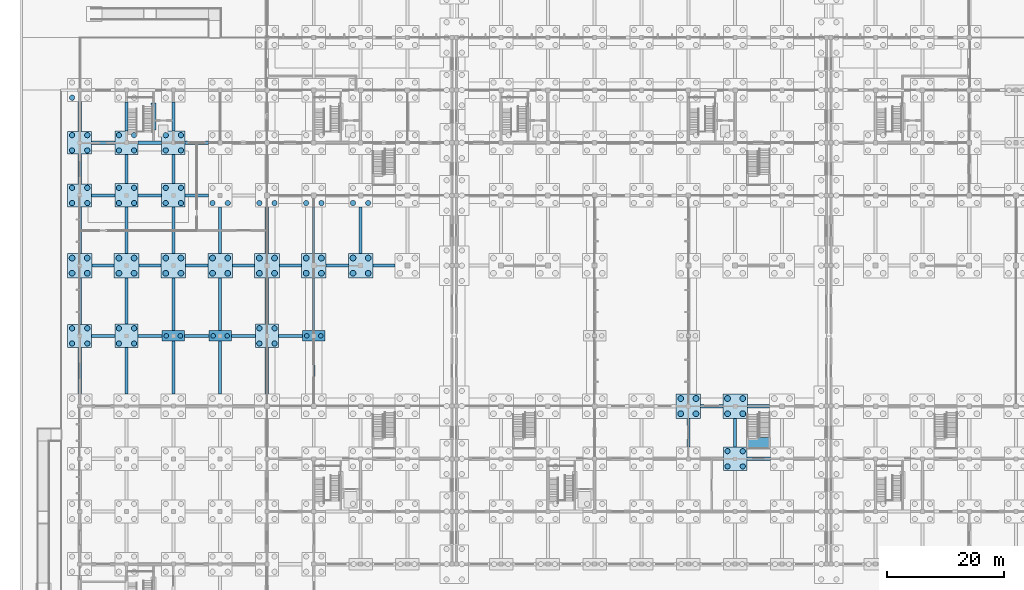
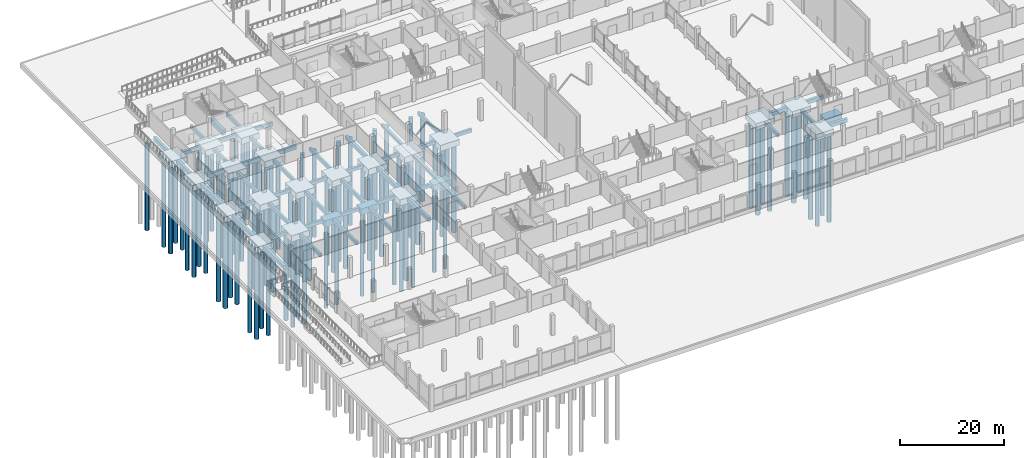
# One storey, part 4 of 72: 91 piles, 72 footings.
"""IFC4 building model written with IfcOpenShell, lengths in metres."""

from ifc_helpers import new_model, si_unit, direction, frame, origin, origin_2d, place, context, subcontext, project, spatial, rectangle, circle, extrude, material, material_profile, profile_set, type_object, element, save


model = new_model("IFC4")

# Units and contexts
model_context = context("Model", 3, precision=1e-05, world=origin(), true_north=direction((0.0, 1.0)))
body_context = subcontext(model_context, "Body", "Model", "MODEL_VIEW")
ifc_project = project(units=[si_unit("LENGTHUNIT", "METRE"), si_unit("AREAUNIT", "SQUARE_METRE"), si_unit("VOLUMEUNIT", "CUBIC_METRE"), si_unit("PLANEANGLEUNIT", "RADIAN"), si_unit("MASSUNIT", "GRAM", prefix="KILO"), si_unit("THERMODYNAMICTEMPERATUREUNIT", "KELVIN"), si_unit("POWERUNIT", "WATT")], contexts=[model_context])

# Site, building, storey
site_placement = place(None, origin())
site = spatial("IfcSite", under=ifc_project, at=site_placement, CompositionType="ELEMENT")
building_placement = place(site_placement, origin())
building = spatial("IfcBuilding", under=site, at=building_placement, Name="Kronsvod Quay Wholesale Market", CompositionType="ELEMENT")
storey_placement = place(building_placement, origin())
storey = spatial("IfcBuildingStorey", under=building, at=storey_placement, Name="L00", CompositionType="ELEMENT", Elevation=0.0)

# Footings
ifc_material_1 = material(Name="Concrete C35/45", Category="concrete")
footing_type_1 = type_object("IfcFootingType", Name="Cap_PC2A", PredefinedType="PILE_CAP", material=ifc_material_1)
for number, where, z_axis, x_axis, name in (
    (1, (16.0, 66.0, -2.64990234375), (0.0, 0.0, 1.0), (1.0, 0.0, 0.0), "CAP-052"),
    (2, (24.0, 66.0, -2.64990234375), (0.0, 0.0, 1.0), (1.0, 0.0, 0.0), "CAP-064"),
    (3, (40.0, 66.0, -2.64990234375), (0.0, 0.0, 1.0), (1.0, 0.0, 0.0), "CAP-090"),
):
    element("IfcFooting", number, at=place(storey_placement, frame(where, z_axis=z_axis, x_axis=x_axis)), inside=storey, type_object=footing_type_1, Name=name, PredefinedType="PILE_CAP", context=body_context, shape_type="SweptSolid", body=[
        extrude(rectangle(XDim=3.800048828125, YDim=1.800048828125, at=origin_2d()), origin(), (0.0, 0.0, 1.0), 1.39990234375),
    ])
ifc_material_2 = material(Name="Concrete C35/45", Category="concrete")
footing_type_2 = type_object("IfcFootingType", Name="Cap_PC4A", PredefinedType="PILE_CAP", material=ifc_material_2)
for number, where, z_axis, x_axis, name in (
    (4, (8.0, 66.0, -2.64990234375), (0.0, 0.0, 1.0), (1.0, 0.0, 0.0), "CAP-040"),
    (5, (8.0, 90.0, -2.64990234375), (0.0, 0.0, 1.0), (1.0, 0.0, 0.0), "CAP-042"),
    (6, (8.0, 99.0, -2.64990234375), (0.0, 0.0, 1.0), (1.0, 0.0, 0.0), "CAP-043"),
    (7, (16.0, 90.0, -2.64990234375), (0.0, 0.0, 1.0), (1.0, 0.0, 0.0), "CAP-054"),
    (8, (16.0, 99.0, -2.64990234375), (0.0, 0.0, 1.0), (1.0, 0.0, 0.0), "CAP-055"),
    (9, (32.0, 66.0, -2.64990234375), (0.0, 0.0, 1.0), (1.0, 0.0, 0.0), "CAP-076"),
    (10, (112.0, 45.0, -2.64990234375), (0.0, 0.0, 1.0), (1.0, 0.0, 0.0), "CAP-170"),
):
    element("IfcFooting", number, at=place(storey_placement, frame(where, z_axis=z_axis, x_axis=x_axis)), inside=storey, type_object=footing_type_2, Name=name, PredefinedType="PILE_CAP", context=body_context, shape_type="SweptSolid", body=[
        extrude(rectangle(XDim=4.0, YDim=4.0, at=origin_2d()), origin(), (0.0, 0.0, 1.0), 1.39990234375),
    ])
ifc_material_3 = material(Name="Concrete C35/45", Category="concrete")
footing_type_3 = type_object("IfcFootingType", Name="Cap_PC4B", PredefinedType="PILE_CAP", material=ifc_material_3)
for number, where, z_axis, x_axis, name in (
    (11, (0.0, 78.0, -2.64990234375), (0.0, 0.0, 1.0), (1.0, 0.0, 0.0), "CAP-029"),
    (12, (8.0, 78.0, -2.64990234375), (0.0, 0.0, 1.0), (1.0, 0.0, 0.0), "CAP-041"),
    (13, (16.0, 78.0, -2.64990234375), (0.0, 0.0, 1.0), (1.0, 0.0, 0.0), "CAP-053"),
    (14, (24.0, 78.0, -2.64990234375), (0.0, 0.0, 1.0), (1.0, 0.0, 0.0), "CAP-065"),
    (15, (32.0, 78.0, -2.64990234375), (0.0, 0.0, 1.0), (1.0, 0.0, 0.0), "CAP-077"),
    (16, (40.0, 78.0, -2.64990234375), (0.0, 0.0, 1.0), (1.0, 0.0, 0.0), "CAP-091"),
    (17, (48.0, 78.0, -2.64990234375), (0.0, 0.0, 1.0), (1.0, 0.0, 0.0), "CAP-101"),
    (18, (104.0, 54.0, -2.64990234375), (0.0, 0.0, 1.0), (1.0, 0.0, 0.0), "CAP-160"),
    (19, (112.0, 54.0, -2.64990234375), (0.0, 0.0, 1.0), (1.0, 0.0, 0.0), "CAP-171"),
):
    element("IfcFooting", number, at=place(storey_placement, frame(where, z_axis=z_axis, x_axis=x_axis)), inside=storey, type_object=footing_type_3, Name=name, PredefinedType="PILE_CAP", context=body_context, shape_type="SweptSolid", body=[
        extrude(rectangle(XDim=4.199951171875, YDim=4.199951171875, at=origin_2d()), origin(), (0.0, 0.0, 1.0), 1.39990234375),
    ])
ifc_material_4 = material(Name="Concrete C35/45", Category="concrete")
footing_type_4 = type_object("IfcFootingType", Name="Cap_PC4C", PredefinedType="PILE_CAP", material=ifc_material_4)
for number, where, z_axis, x_axis, name in (
    (20, (0.0, 66.0, -2.64990234375), (0.0, 0.0, 1.0), (1.0, 0.0, 0.0), "CAP-028"),
    (21, (0.0, 90.0, -2.64990234375), (0.0, 0.0, 1.0), (1.0, 0.0, 0.0), "CAP-030"),
    (22, (0.0, 99.0, -2.64990234375), (0.0, 0.0, 1.0), (1.0, 0.0, 0.0), "CAP-031"),
):
    element("IfcFooting", number, at=place(storey_placement, frame(where, z_axis=z_axis, x_axis=x_axis)), inside=storey, type_object=footing_type_4, Name=name, PredefinedType="PILE_CAP", context=body_context, shape_type="SweptSolid", body=[
        extrude(rectangle(XDim=4.10009765625, YDim=3.89990234375, at=origin_2d()), origin(), (0.0, 0.0, 1.0), 1.39990234375),
    ])
ifc_material_5 = material(Name="Concrete C35/45", Category="concrete")
ifc_material_profile_1 = material_profile(ifc_material_5, rectangle(XDim=0.5, YDim=0.800048828125, at=origin_2d()), Name="FB-01")
ifc_profile_set_1 = profile_set([ifc_material_profile_1], Name="Concrete C35/45")
footing_type_5 = type_object("IfcFootingType", Name="FootingBeam_500x800", PredefinedType="FOOTING_BEAM", material=ifc_profile_set_1)
footing_1_placement = place(storey_placement, frame((2.050048828125, 66.0, -1.64990234375), z_axis=(1.0, 0.0, 0.0), x_axis=(0.0, 1.0, 0.0)))
element("IfcFooting", 23, at=footing_1_placement, inside=storey, type_object=footing_type_5, Name="FB-X-0048", PredefinedType="FOOTING_BEAM", context=body_context, shape_type="SweptSolid", body=[
    extrude(rectangle(XDim=0.5, YDim=0.800048828125, at=origin_2d()), origin(), (0.0, 0.0, 1.0), 3.949951171875),
])
footing_2_placement = place(storey_placement, frame((10.0, 66.0, -1.64990234375), z_axis=(1.0, 0.0, 0.0), x_axis=(0.0, 1.0, 0.0)))
element("IfcFooting", 24, at=footing_2_placement, inside=storey, type_object=footing_type_5, Name="FB-X-0049", PredefinedType="FOOTING_BEAM", context=body_context, shape_type="SweptSolid", body=[
    extrude(rectangle(XDim=0.5, YDim=0.800048828125, at=origin_2d()), origin(), (0.0, 0.0, 1.0), 4.10009765625),
])
footing_3_placement = place(storey_placement, frame((17.89990234375, 66.0, -1.64990234375), z_axis=(1.0, 0.0, 0.0), x_axis=(0.0, 1.0, 0.0)))
element("IfcFooting", 25, at=footing_3_placement, inside=storey, type_object=footing_type_5, Name="FB-X-0050", PredefinedType="FOOTING_BEAM", context=body_context, shape_type="SweptSolid", body=[
    extrude(rectangle(XDim=0.5, YDim=0.800048828125, at=origin_2d()), origin(), (0.0, 0.0, 1.0), 4.2001953125),
])
for number, where, z_axis, x_axis, name in (
    (26, (25.89990234375, 66.0, -1.64990234375), (1.0, 0.0, 0.0), (0.0, 1.0, 0.0), "FB-X-0051"),
    (27, (34.0, 66.0, -1.64990234375), (1.0, 0.0, 0.0), (0.0, 1.0, 0.0), "FB-X-0052"),
):
    element("IfcFooting", number, at=place(storey_placement, frame(where, z_axis=z_axis, x_axis=x_axis)), inside=storey, type_object=footing_type_5, Name=name, PredefinedType="FOOTING_BEAM", context=body_context, shape_type="SweptSolid", body=[
        extrude(rectangle(XDim=0.5, YDim=0.800048828125, at=origin_2d()), origin(), (0.0, 0.0, 1.0), 4.10009765625),
    ])
for number, where, z_axis, x_axis, name in (
    (28, (2.10009765625, 78.0, -1.64990234375), (1.0, 0.0, 0.0), (0.0, 1.0, 0.0), "FB-X-0053"),
    (29, (10.10009765625, 78.0, -1.64990234375), (1.0, 0.0, 0.0), (0.0, 1.0, 0.0), "FB-X-0054"),
    (30, (18.10009765625, 78.0, -1.64990234375), (1.0, 0.0, 0.0), (0.0, 1.0, 0.0), "FB-X-0055"),
    (31, (26.10009765625, 78.0, -1.64990234375), (1.0, 0.0, 0.0), (0.0, 1.0, 0.0), "FB-X-0056"),
    (32, (34.10009765625, 78.0, -1.64990234375), (1.0, 0.0, 0.0), (0.0, 1.0, 0.0), "FB-X-0057"),
    (33, (42.10009765625, 78.0, -1.64990234375), (1.0, 0.0, 0.0), (0.0, 1.0, 0.0), "FB-X-0058"),
    (34, (50.10009765625, 78.0, -1.64990234375), (1.0, 0.0, 0.0), (0.0, 1.0, 0.0), "FB-X-0059"),
):
    element("IfcFooting", number, at=place(storey_placement, frame(where, z_axis=z_axis, x_axis=x_axis)), inside=storey, type_object=footing_type_5, Name=name, PredefinedType="FOOTING_BEAM", context=body_context, shape_type="SweptSolid", body=[
        extrude(rectangle(XDim=0.5, YDim=0.800048828125, at=origin_2d()), origin(), (0.0, 0.0, 1.0), 3.7998046875),
    ])
for number, where, z_axis, x_axis, name in (
    (35, (8.0, 56.10009765625, -1.64990234375), (0.0, 1.0, 0.0), (-1.0, 0.0, 0.0), "FB-Y-0112"),
    (36, (8.0, 68.0, -1.64990234375), (0.0, 1.0, 0.0), (-1.0, 0.0, 0.0), "FB-Y-0113"),
    (37, (8.0, 80.10009765625, -1.64990234375), (0.0, 1.0, 0.0), (-1.0, 0.0, 0.0), "FB-Y-0114"),
):
    element("IfcFooting", number, at=place(storey_placement, frame(where, z_axis=z_axis, x_axis=x_axis)), inside=storey, type_object=footing_type_5, Name=name, PredefinedType="FOOTING_BEAM", context=body_context, shape_type="SweptSolid", body=[
        extrude(rectangle(XDim=0.5, YDim=0.800048828125, at=origin_2d()), origin(), (0.0, 0.0, 1.0), 7.89990234375),
    ])
for number, where, z_axis, x_axis, name in (
    (38, (8.0, 92.0, -1.64990234375), (0.0, 1.0, 0.0), (-1.0, 0.0, 0.0), "FB-Y-0115"),
    (39, (8.0, 101.0, -1.64990234375), (0.0, 1.0, 0.0), (-1.0, 0.0, 0.0), "FB-Y-0116"),
):
    element("IfcFooting", number, at=place(storey_placement, frame(where, z_axis=z_axis, x_axis=x_axis)), inside=storey, type_object=footing_type_5, Name=name, PredefinedType="FOOTING_BEAM", context=body_context, shape_type="SweptSolid", body=[
        extrude(rectangle(XDim=0.5, YDim=0.800048828125, at=origin_2d()), origin(), (0.0, 0.0, 1.0), 5.0),
    ])
for number, where, z_axis, x_axis, name in (
    (40, (16.0, 56.10009765625, -1.64990234375), (0.0, 1.0, 0.0), (-1.0, 0.0, 0.0), "FB-Y-0123"),
    (41, (16.0, 66.89990234375, -1.64990234375), (0.0, 1.0, 0.0), (-1.0, 0.0, 0.0), "FB-Y-0124"),
):
    element("IfcFooting", number, at=place(storey_placement, frame(where, z_axis=z_axis, x_axis=x_axis)), inside=storey, type_object=footing_type_5, Name=name, PredefinedType="FOOTING_BEAM", context=body_context, shape_type="SweptSolid", body=[
        extrude(rectangle(XDim=0.5, YDim=0.800048828125, at=origin_2d()), origin(), (0.0, 0.0, 1.0), 9.0),
    ])
footing_4_placement = place(storey_placement, frame((16.0, 80.10009765625, -1.64990234375), z_axis=(0.0, 1.0, 0.0), x_axis=(-1.0, 0.0, 0.0)))
element("IfcFooting", 42, at=footing_4_placement, inside=storey, type_object=footing_type_5, Name="FB-Y-0125", PredefinedType="FOOTING_BEAM", context=body_context, shape_type="SweptSolid", body=[
    extrude(rectangle(XDim=0.5, YDim=0.800048828125, at=origin_2d()), origin(), (0.0, 0.0, 1.0), 7.89990234375),
])
for number, where, z_axis, x_axis, name in (
    (43, (16.0, 92.0, -1.64990234375), (0.0, 1.0, 0.0), (-1.0, 0.0, 0.0), "FB-Y-0126"),
    (44, (16.0, 101.0, -1.64990234375), (0.0, 1.0, 0.0), (-1.0, 0.0, 0.0), "FB-Y-0127"),
):
    element("IfcFooting", number, at=place(storey_placement, frame(where, z_axis=z_axis, x_axis=x_axis)), inside=storey, type_object=footing_type_5, Name=name, PredefinedType="FOOTING_BEAM", context=body_context, shape_type="SweptSolid", body=[
        extrude(rectangle(XDim=0.5, YDim=0.800048828125, at=origin_2d()), origin(), (0.0, 0.0, 1.0), 5.0),
    ])
for number, where, z_axis, x_axis, name in (
    (45, (24.0, 56.10009765625, -1.64990234375), (0.0, 1.0, 0.0), (-1.0, 0.0, 0.0), "FB-Y-0134"),
    (46, (24.0, 66.89990234375, -1.64990234375), (0.0, 1.0, 0.0), (-1.0, 0.0, 0.0), "FB-Y-0135"),
):
    element("IfcFooting", number, at=place(storey_placement, frame(where, z_axis=z_axis, x_axis=x_axis)), inside=storey, type_object=footing_type_5, Name=name, PredefinedType="FOOTING_BEAM", context=body_context, shape_type="SweptSolid", body=[
        extrude(rectangle(XDim=0.5, YDim=0.800048828125, at=origin_2d()), origin(), (0.0, 0.0, 1.0), 9.0),
    ])
footing_5_placement = place(storey_placement, frame((24.0, 80.10009765625, -1.64990234375), z_axis=(0.0, 1.0, 0.0), x_axis=(-1.0, 0.0, 0.0)))
element("IfcFooting", 47, at=footing_5_placement, inside=storey, type_object=footing_type_5, Name="FB-Y-0136", PredefinedType="FOOTING_BEAM", context=body_context, shape_type="SweptSolid", body=[
    extrude(rectangle(XDim=0.5, YDim=0.800048828125, at=origin_2d()), origin(), (0.0, 0.0, 1.0), 7.89990234375),
])
for number, where, z_axis, x_axis, name in (
    (48, (40.0, 56.10009765625, -1.64990234375), (0.0, 1.0, 0.0), (-1.0, 0.0, 0.0), "FB-Y-0158"),
    (49, (40.0, 66.89990234375, -1.64990234375), (0.0, 1.0, 0.0), (-1.0, 0.0, 0.0), "FB-Y-0159"),
):
    element("IfcFooting", number, at=place(storey_placement, frame(where, z_axis=z_axis, x_axis=x_axis)), inside=storey, type_object=footing_type_5, Name=name, PredefinedType="FOOTING_BEAM", context=body_context, shape_type="SweptSolid", body=[
        extrude(rectangle(XDim=0.5, YDim=0.800048828125, at=origin_2d()), origin(), (0.0, 0.0, 1.0), 9.0),
    ])
for number, where, z_axis, x_axis, name in (
    (50, (40.0, 80.10009765625, -1.64990234375), (0.0, 1.0, 0.0), (-1.0, 0.0, 0.0), "FB-Y-0160"),
    (51, (48.0, 80.10009765625, -1.64990234375), (0.0, 1.0, 0.0), (-1.0, 0.0, 0.0), "FB-Y-0168"),
):
    element("IfcFooting", number, at=place(storey_placement, frame(where, z_axis=z_axis, x_axis=x_axis)), inside=storey, type_object=footing_type_5, Name=name, PredefinedType="FOOTING_BEAM", context=body_context, shape_type="SweptSolid", body=[
        extrude(rectangle(XDim=0.5, YDim=0.800048828125, at=origin_2d()), origin(), (0.0, 0.0, 1.0), 7.89990234375),
    ])
for number, where, z_axis, x_axis, name in (
    (52, (104.0, 47.0, -1.64990234375), (0.0, 1.0, 0.0), (-1.0, 0.0, 0.0), "FB-Y-0310"),
    (53, (112.0, 47.0, -1.64990234375), (0.0, 1.0, 0.0), (-1.0, 0.0, 0.0), "FB-Y-0320"),
):
    element("IfcFooting", number, at=place(storey_placement, frame(where, z_axis=z_axis, x_axis=x_axis)), inside=storey, type_object=footing_type_5, Name=name, PredefinedType="FOOTING_BEAM", context=body_context, shape_type="SweptSolid", body=[
        extrude(rectangle(XDim=0.5, YDim=0.800048828125, at=origin_2d()), origin(), (0.0, 0.0, 1.0), 4.89990234375),
    ])
ifc_material_6 = material(Name="Concrete C35/45", Category="concrete")
ifc_material_profile_2 = material_profile(ifc_material_6, rectangle(XDim=0.550048828125, YDim=0.85009765625, at=origin_2d()), Name="FB-03")
ifc_profile_set_2 = profile_set([ifc_material_profile_2], Name="Concrete C35/45")
footing_type_6 = type_object("IfcFootingType", Name="FootingBeam_550x850", PredefinedType="FOOTING_BEAM", material=ifc_profile_set_2)
footing_6_placement = place(storey_placement, frame((2.050048828125, 90.0, -1.675048828125), z_axis=(1.0, 0.0, 0.0), x_axis=(0.0, 1.0, 0.0)))
element("IfcFooting", 54, at=footing_6_placement, inside=storey, type_object=footing_type_6, Name="FB-X-0061", PredefinedType="FOOTING_BEAM", context=body_context, shape_type="SweptSolid", body=[
    extrude(rectangle(XDim=0.550048828125, YDim=0.85009765625, at=origin_2d()), origin(), (0.0, 0.0, 1.0), 3.949951171875),
])
for number, where, z_axis, x_axis, name in (
    (55, (10.0, 90.0, -1.675048828125), (1.0, 0.0, 0.0), (0.0, 1.0, 0.0), "FB-X-0062"),
    (56, (18.0, 90.0, -1.675048828125), (1.0, 0.0, 0.0), (0.0, 1.0, 0.0), "FB-X-0063"),
):
    element("IfcFooting", number, at=place(storey_placement, frame(where, z_axis=z_axis, x_axis=x_axis)), inside=storey, type_object=footing_type_6, Name=name, PredefinedType="FOOTING_BEAM", context=body_context, shape_type="SweptSolid", body=[
        extrude(rectangle(XDim=0.550048828125, YDim=0.85009765625, at=origin_2d()), origin(), (0.0, 0.0, 1.0), 4.0),
    ])
footing_7_placement = place(storey_placement, frame((2.050048828125, 99.0, -1.675048828125), z_axis=(1.0, 0.0, 0.0), x_axis=(0.0, 1.0, 0.0)))
element("IfcFooting", 57, at=footing_7_placement, inside=storey, type_object=footing_type_6, Name="FB-X-0069", PredefinedType="FOOTING_BEAM", context=body_context, shape_type="SweptSolid", body=[
    extrude(rectangle(XDim=0.550048828125, YDim=0.85009765625, at=origin_2d()), origin(), (0.0, 0.0, 1.0), 3.949951171875),
])
for number, where, z_axis, x_axis, name in (
    (58, (10.0, 99.0, -1.675048828125), (1.0, 0.0, 0.0), (0.0, 1.0, 0.0), "FB-X-0070"),
    (59, (18.0, 99.0, -1.675048828125), (1.0, 0.0, 0.0), (0.0, 1.0, 0.0), "FB-X-0071"),
    (60, (114.0, 45.0, -1.675048828125), (1.0, 0.0, 0.0), (0.0, 1.0, 0.0), "FB-X-0211"),
):
    element("IfcFooting", number, at=place(storey_placement, frame(where, z_axis=z_axis, x_axis=x_axis)), inside=storey, type_object=footing_type_6, Name=name, PredefinedType="FOOTING_BEAM", context=body_context, shape_type="SweptSolid", body=[
        extrude(rectangle(XDim=0.550048828125, YDim=0.85009765625, at=origin_2d()), origin(), (0.0, 0.0, 1.0), 4.0),
    ])
ifc_material_7 = material(Name="Concrete C35/45", Category="concrete")
ifc_material_profile_3 = material_profile(ifc_material_7, rectangle(XDim=0.60009765625, YDim=0.89990234375, at=origin_2d()), Name="FB-02")
ifc_profile_set_3 = profile_set([ifc_material_profile_3], Name="Concrete C35/45")
footing_type_7 = type_object("IfcFootingType", Name="FootingBeam_600x900", PredefinedType="FOOTING_BEAM", material=ifc_profile_set_3)
for number, where, z_axis, x_axis, name in (
    (61, (0.0, 56.10009765625, -1.699951171875), (0.0, 1.0, 0.0), (-1.0, 0.0, 0.0), "FB-Y-0101"),
    (62, (0.0, 67.949951171875, -1.699951171875), (0.0, 1.0, 0.0), (-1.0, 0.0, 0.0), "FB-Y-0102"),
    (63, (0.0, 80.10009765625, -1.699951171875), (0.0, 1.0, 0.0), (-1.0, 0.0, 0.0), "FB-Y-0103"),
):
    element("IfcFooting", number, at=place(storey_placement, frame(where, z_axis=z_axis, x_axis=x_axis)), inside=storey, type_object=footing_type_7, Name=name, PredefinedType="FOOTING_BEAM", context=body_context, shape_type="SweptSolid", body=[
        extrude(rectangle(XDim=0.60009765625, YDim=0.89990234375, at=origin_2d()), origin(), (0.0, 0.0, 1.0), 7.949951171875),
    ])
for number, where, z_axis, x_axis, name in (
    (64, (0.0, 91.949951171875, -1.699951171875), (0.0, 1.0, 0.0), (-1.0, 0.0, 0.0), "FB-Y-0104"),
    (65, (0.0, 100.949951171875, -1.699951171875), (0.0, 1.0, 0.0), (-1.0, 0.0, 0.0), "FB-Y-0105"),
):
    element("IfcFooting", number, at=place(storey_placement, frame(where, z_axis=z_axis, x_axis=x_axis)), inside=storey, type_object=footing_type_7, Name=name, PredefinedType="FOOTING_BEAM", context=body_context, shape_type="SweptSolid", body=[
        extrude(rectangle(XDim=0.60009765625, YDim=0.89990234375, at=origin_2d()), origin(), (0.0, 0.0, 1.0), 5.10009765625),
    ])
for number, where, z_axis, x_axis, name in (
    (66, (32.0, 56.10009765625, -1.699951171875), (0.0, 1.0, 0.0), (-1.0, 0.0, 0.0), "FB-Y-0145"),
    (67, (32.0, 68.0, -1.699951171875), (0.0, 1.0, 0.0), (-1.0, 0.0, 0.0), "FB-Y-0146"),
    (68, (32.0, 80.10009765625, -1.699951171875), (0.0, 1.0, 0.0), (-1.0, 0.0, 0.0), "FB-Y-0147"),
):
    element("IfcFooting", number, at=place(storey_placement, frame(where, z_axis=z_axis, x_axis=x_axis)), inside=storey, type_object=footing_type_7, Name=name, PredefinedType="FOOTING_BEAM", context=body_context, shape_type="SweptSolid", body=[
        extrude(rectangle(XDim=0.60009765625, YDim=0.89990234375, at=origin_2d()), origin(), (0.0, 0.0, 1.0), 7.89990234375),
    ])
for number, where, z_axis, x_axis, name in (
    (69, (106.10009765625, 54.0, -1.699951171875), (1.0, 0.0, 0.0), (0.0, 1.0, 0.0), "FB-X-0218"),
    (70, (114.10009765625, 54.0, -1.699951171875), (1.0, 0.0, 0.0), (0.0, 1.0, 0.0), "FB-X-0219"),
):
    element("IfcFooting", number, at=place(storey_placement, frame(where, z_axis=z_axis, x_axis=x_axis)), inside=storey, type_object=footing_type_7, Name=name, PredefinedType="FOOTING_BEAM", context=body_context, shape_type="SweptSolid", body=[
        extrude(rectangle(XDim=0.60009765625, YDim=0.89990234375, at=origin_2d()), origin(), (0.0, 0.0, 1.0), 3.7998046875),
    ])
ifc_material_8 = material(Name="Concrete C35/45", Category="concrete")
footing_type_8 = type_object("IfcFootingType", Name="Pad_PF2", PredefinedType="PAD_FOOTING", material=ifc_material_8)
footing_8_placement = place(storey_placement, frame((116.0, 47.60009765625, -2.7001953125), z_axis=(0.0, 0.0, 1.0), x_axis=(1.0, 0.0, 0.0)))
element("IfcFooting", 71, at=footing_8_placement, inside=storey, type_object=footing_type_8, Name="ST-GAL-E1-FND", PredefinedType="PAD_FOOTING", context=body_context, shape_type="SweptSolid", body=[
    extrude(rectangle(XDim=3.800048828125, YDim=2.0, at=origin_2d()), origin(), (0.0, 0.0, 1.0), 1.449951171875),
])

# Piles
ifc_material_9 = material(Name="Concrete C35/45", Category="concrete")
ifc_material_profile_4 = material_profile(ifc_material_9, circle(Radius=0.5, at=origin_2d()), Name="PILE1000")
ifc_profile_set_4 = profile_set([ifc_material_profile_4], Name="Concrete C35/45")
pile_type_1 = type_object("IfcPileType", Name="Pile_PILE1000", PredefinedType="BORED", material=ifc_profile_set_4)
for number, where, z_axis, x_axis, name in (
    (72, (-1.300048828125, 76.699951171875, -2.64990234375), (0.0, 0.0, -1.0), (1.0, 0.0, 0.0), "PILE-0149"),
    (73, (-1.300048828125, 79.300048828125, -2.64990234375), (0.0, 0.0, -1.0), (1.0, 0.0, 0.0), "PILE-0150"),
    (74, (1.300048828125, 76.699951171875, -2.64990234375), (0.0, 0.0, -1.0), (1.0, 0.0, 0.0), "PILE-0151"),
    (75, (1.300048828125, 79.300048828125, -2.64990234375), (0.0, 0.0, -1.0), (1.0, 0.0, 0.0), "PILE-0152"),
    (76, (6.699951171875, 76.699951171875, -2.64990234375), (0.0, 0.0, -1.0), (1.0, 0.0, 0.0), "PILE-0193"),
    (77, (6.699951171875, 79.300048828125, -2.64990234375), (0.0, 0.0, -1.0), (1.0, 0.0, 0.0), "PILE-0194"),
    (78, (9.300048828125, 76.699951171875, -2.64990234375), (0.0, 0.0, -1.0), (1.0, 0.0, 0.0), "PILE-0195"),
    (79, (9.300048828125, 79.300048828125, -2.64990234375), (0.0, 0.0, -1.0), (1.0, 0.0, 0.0), "PILE-0196"),
    (80, (14.699951171875, 76.699951171875, -2.64990234375), (0.0, 0.0, -1.0), (1.0, 0.0, 0.0), "PILE-0235"),
    (81, (14.699951171875, 79.300048828125, -2.64990234375), (0.0, 0.0, -1.0), (1.0, 0.0, 0.0), "PILE-0236"),
    (82, (17.300048828125, 76.699951171875, -2.64990234375), (0.0, 0.0, -1.0), (1.0, 0.0, 0.0), "PILE-0237"),
    (83, (17.300048828125, 79.300048828125, -2.64990234375), (0.0, 0.0, -1.0), (1.0, 0.0, 0.0), "PILE-0238"),
    (84, (22.699951171875, 76.699951171875, -2.64990234375), (0.0, 0.0, -1.0), (1.0, 0.0, 0.0), "PILE-0277"),
    (85, (22.699951171875, 79.300048828125, -2.64990234375), (0.0, 0.0, -1.0), (1.0, 0.0, 0.0), "PILE-0278"),
    (86, (25.300048828125, 76.699951171875, -2.64990234375), (0.0, 0.0, -1.0), (1.0, 0.0, 0.0), "PILE-0279"),
    (87, (25.300048828125, 79.300048828125, -2.64990234375), (0.0, 0.0, -1.0), (1.0, 0.0, 0.0), "PILE-0280"),
    (88, (30.699951171875, 76.699951171875, -2.64990234375), (0.0, 0.0, -1.0), (1.0, 0.0, 0.0), "PILE-0321"),
    (89, (30.699951171875, 79.300048828125, -2.64990234375), (0.0, 0.0, -1.0), (1.0, 0.0, 0.0), "PILE-0322"),
    (90, (33.300048828125, 76.699951171875, -2.64990234375), (0.0, 0.0, -1.0), (1.0, 0.0, 0.0), "PILE-0323"),
    (91, (33.300048828125, 79.300048828125, -2.64990234375), (0.0, 0.0, -1.0), (1.0, 0.0, 0.0), "PILE-0324"),
    (92, (38.699951171875, 76.699951171875, -2.64990234375), (0.0, 0.0, -1.0), (1.0, 0.0, 0.0), "PILE-0371"),
    (93, (38.699951171875, 79.300048828125, -2.64990234375), (0.0, 0.0, -1.0), (1.0, 0.0, 0.0), "PILE-0372"),
    (94, (41.300048828125, 76.699951171875, -2.64990234375), (0.0, 0.0, -1.0), (1.0, 0.0, 0.0), "PILE-0373"),
    (95, (41.300048828125, 79.300048828125, -2.64990234375), (0.0, 0.0, -1.0), (1.0, 0.0, 0.0), "PILE-0374"),
    (96, (46.699951171875, 76.699951171875, -2.64990234375), (0.0, 0.0, -1.0), (1.0, 0.0, 0.0), "PILE-0409"),
    (97, (46.699951171875, 79.300048828125, -2.64990234375), (0.0, 0.0, -1.0), (1.0, 0.0, 0.0), "PILE-0410"),
    (98, (49.300048828125, 76.699951171875, -2.64990234375), (0.0, 0.0, -1.0), (1.0, 0.0, 0.0), "PILE-0411"),
    (99, (49.300048828125, 79.300048828125, -2.64990234375), (0.0, 0.0, -1.0), (1.0, 0.0, 0.0), "PILE-0412"),
    (100, (102.699951171875, 52.699951171875, -2.64990234375), (0.0, 0.0, -1.0), (1.0, 0.0, 0.0), "PILE-0631"),
    (101, (102.699951171875, 55.300048828125, -2.64990234375), (0.0, 0.0, -1.0), (1.0, 0.0, 0.0), "PILE-0632"),
    (102, (105.300048828125, 52.699951171875, -2.64990234375), (0.0, 0.0, -1.0), (1.0, 0.0, 0.0), "PILE-0633"),
    (103, (105.300048828125, 55.300048828125, -2.64990234375), (0.0, 0.0, -1.0), (1.0, 0.0, 0.0), "PILE-0634"),
    (104, (110.699951171875, 52.699951171875, -2.64990234375), (0.0, 0.0, -1.0), (1.0, 0.0, 0.0), "PILE-0671"),
    (105, (110.699951171875, 55.300048828125, -2.64990234375), (0.0, 0.0, -1.0), (1.0, 0.0, 0.0), "PILE-0672"),
    (106, (113.300048828125, 52.699951171875, -2.64990234375), (0.0, 0.0, -1.0), (1.0, 0.0, 0.0), "PILE-0673"),
    (107, (113.300048828125, 55.300048828125, -2.64990234375), (0.0, 0.0, -1.0), (1.0, 0.0, 0.0), "PILE-0674"),
):
    element("IfcPile", number, at=place(storey_placement, frame(where, z_axis=z_axis, x_axis=x_axis)), inside=storey, type_object=pile_type_1, Name=name, PredefinedType="BORED", context=body_context, shape_type="SweptSolid", body=[
        extrude(circle(Radius=0.5, at=origin_2d()), origin(), (0.0, 0.0, 1.0), 20.39990234375),
    ])
ifc_material_10 = material(Name="Concrete C35/45", Category="concrete")
ifc_material_profile_5 = material_profile(ifc_material_10, circle(Radius=0.39990234375, at=origin_2d()), Name="PILE800")
ifc_profile_set_5 = profile_set([ifc_material_profile_5], Name="Concrete C35/45")
pile_type_2 = type_object("IfcPileType", Name="Pile_PILE800", PredefinedType="BORED", material=ifc_profile_set_5)
for number, where, z_axis, x_axis, name in (
    (108, (14.800048828125, 66.0, -2.64990234375), (0.0, 0.0, -1.0), (1.0, 0.0, 0.0), "PILE-0233"),
    (109, (17.199951171875, 66.0, -2.64990234375), (0.0, 0.0, -1.0), (1.0, 0.0, 0.0), "PILE-0234"),
    (110, (22.800048828125, 66.0, -2.64990234375), (0.0, 0.0, -1.0), (1.0, 0.0, 0.0), "PILE-0275"),
    (111, (25.199951171875, 66.0, -2.64990234375), (0.0, 0.0, -1.0), (1.0, 0.0, 0.0), "PILE-0276"),
    (112, (38.800048828125, 66.0, -2.64990234375), (0.0, 0.0, -1.0), (1.0, 0.0, 0.0), "PILE-0369"),
    (113, (41.199951171875, 66.0, -2.64990234375), (0.0, 0.0, -1.0), (1.0, 0.0, 0.0), "PILE-0370"),
):
    element("IfcPile", number, at=place(storey_placement, frame(where, z_axis=z_axis, x_axis=x_axis)), inside=storey, type_object=pile_type_2, Name=name, PredefinedType="BORED", context=body_context, shape_type="SweptSolid", body=[
        extrude(circle(Radius=0.39990234375, at=origin_2d()), origin(), (0.0, 0.0, 1.0), 19.60009765625),
    ])
ifc_material_11 = material(Name="Concrete C35/45", Category="concrete")
ifc_material_profile_6 = material_profile(ifc_material_11, circle(Radius=0.449951171875, at=origin_2d()), Name="PILE900")
ifc_profile_set_6 = profile_set([ifc_material_profile_6], Name="Concrete C35/45")
pile_type_3 = type_object("IfcPileType", Name="Pile_PILE900", PredefinedType="BORED", material=ifc_profile_set_6)
for number, where, z_axis, x_axis, name in (
    (114, (-1.300048828125, 64.699951171875, -2.64990234375), (0.0, 0.0, -1.0), (1.0, 0.0, 0.0), "PILE-0145"),
    (115, (-1.300048828125, 67.300048828125, -2.64990234375), (0.0, 0.0, -1.0), (1.0, 0.0, 0.0), "PILE-0146"),
    (116, (1.300048828125, 64.699951171875, -2.64990234375), (0.0, 0.0, -1.0), (1.0, 0.0, 0.0), "PILE-0147"),
    (117, (1.300048828125, 67.300048828125, -2.64990234375), (0.0, 0.0, -1.0), (1.0, 0.0, 0.0), "PILE-0148"),
    (118, (-1.300048828125, 88.699951171875, -2.64990234375), (0.0, 0.0, -1.0), (1.0, 0.0, 0.0), "PILE-0153"),
    (119, (-1.300048828125, 91.300048828125, -2.64990234375), (0.0, 0.0, -1.0), (1.0, 0.0, 0.0), "PILE-0154"),
    (120, (1.300048828125, 88.699951171875, -2.64990234375), (0.0, 0.0, -1.0), (1.0, 0.0, 0.0), "PILE-0155"),
    (121, (1.300048828125, 91.300048828125, -2.64990234375), (0.0, 0.0, -1.0), (1.0, 0.0, 0.0), "PILE-0156"),
    (122, (-1.300048828125, 97.699951171875, -2.64990234375), (0.0, 0.0, -1.0), (1.0, 0.0, 0.0), "PILE-0157"),
    (123, (-1.300048828125, 100.300048828125, -2.64990234375), (0.0, 0.0, -1.0), (1.0, 0.0, 0.0), "PILE-0158"),
    (124, (1.300048828125, 97.699951171875, -2.64990234375), (0.0, 0.0, -1.0), (1.0, 0.0, 0.0), "PILE-0159"),
    (125, (1.300048828125, 100.300048828125, -2.64990234375), (0.0, 0.0, -1.0), (1.0, 0.0, 0.0), "PILE-0160"),
    (126, (-1.300048828125, 106.699951171875, -2.64990234375), (0.0, 0.0, -1.0), (1.0, 0.0, 0.0), "PILE-0161"),
    (127, (6.699951171875, 64.699951171875, -2.64990234375), (0.0, 0.0, -1.0), (1.0, 0.0, 0.0), "PILE-0189"),
    (128, (6.699951171875, 67.300048828125, -2.64990234375), (0.0, 0.0, -1.0), (1.0, 0.0, 0.0), "PILE-0190"),
    (129, (9.300048828125, 64.699951171875, -2.64990234375), (0.0, 0.0, -1.0), (1.0, 0.0, 0.0), "PILE-0191"),
    (130, (9.300048828125, 67.300048828125, -2.64990234375), (0.0, 0.0, -1.0), (1.0, 0.0, 0.0), "PILE-0192"),
    (131, (6.699951171875, 88.699951171875, -2.64990234375), (0.0, 0.0, -1.0), (1.0, 0.0, 0.0), "PILE-0197"),
    (132, (6.699951171875, 91.300048828125, -2.64990234375), (0.0, 0.0, -1.0), (1.0, 0.0, 0.0), "PILE-0198"),
    (133, (9.300048828125, 88.699951171875, -2.64990234375), (0.0, 0.0, -1.0), (1.0, 0.0, 0.0), "PILE-0199"),
    (134, (9.300048828125, 91.300048828125, -2.64990234375), (0.0, 0.0, -1.0), (1.0, 0.0, 0.0), "PILE-0200"),
    (135, (6.699951171875, 97.699951171875, -2.64990234375), (0.0, 0.0, -1.0), (1.0, 0.0, 0.0), "PILE-0201"),
    (136, (6.699951171875, 100.300048828125, -2.64990234375), (0.0, 0.0, -1.0), (1.0, 0.0, 0.0), "PILE-0202"),
    (137, (9.300048828125, 97.699951171875, -2.64990234375), (0.0, 0.0, -1.0), (1.0, 0.0, 0.0), "PILE-0203"),
    (138, (9.300048828125, 100.300048828125, -2.64990234375), (0.0, 0.0, -1.0), (1.0, 0.0, 0.0), "PILE-0204"),
    (139, (14.699951171875, 88.699951171875, -2.64990234375), (0.0, 0.0, -1.0), (1.0, 0.0, 0.0), "PILE-0239"),
    (140, (14.699951171875, 91.300048828125, -2.64990234375), (0.0, 0.0, -1.0), (1.0, 0.0, 0.0), "PILE-0240"),
    (141, (17.300048828125, 88.699951171875, -2.64990234375), (0.0, 0.0, -1.0), (1.0, 0.0, 0.0), "PILE-0241"),
    (142, (17.300048828125, 91.300048828125, -2.64990234375), (0.0, 0.0, -1.0), (1.0, 0.0, 0.0), "PILE-0242"),
    (143, (14.699951171875, 97.699951171875, -2.64990234375), (0.0, 0.0, -1.0), (1.0, 0.0, 0.0), "PILE-0243"),
    (144, (14.699951171875, 100.300048828125, -2.64990234375), (0.0, 0.0, -1.0), (1.0, 0.0, 0.0), "PILE-0244"),
    (145, (17.300048828125, 97.699951171875, -2.64990234375), (0.0, 0.0, -1.0), (1.0, 0.0, 0.0), "PILE-0245"),
    (146, (17.300048828125, 100.300048828125, -2.64990234375), (0.0, 0.0, -1.0), (1.0, 0.0, 0.0), "PILE-0246"),
    (147, (22.699951171875, 88.699951171875, -2.64990234375), (0.0, 0.0, -1.0), (1.0, 0.0, 0.0), "PILE-0281"),
    (148, (25.300048828125, 88.699951171875, -2.64990234375), (0.0, 0.0, -1.0), (1.0, 0.0, 0.0), "PILE-0283"),
    (149, (30.699951171875, 64.699951171875, -2.64990234375), (0.0, 0.0, -1.0), (1.0, 0.0, 0.0), "PILE-0317"),
    (150, (30.699951171875, 67.300048828125, -2.64990234375), (0.0, 0.0, -1.0), (1.0, 0.0, 0.0), "PILE-0318"),
    (151, (33.300048828125, 64.699951171875, -2.64990234375), (0.0, 0.0, -1.0), (1.0, 0.0, 0.0), "PILE-0319"),
    (152, (33.300048828125, 67.300048828125, -2.64990234375), (0.0, 0.0, -1.0), (1.0, 0.0, 0.0), "PILE-0320"),
    (153, (30.699951171875, 88.699951171875, -2.64990234375), (0.0, 0.0, -1.0), (1.0, 0.0, 0.0), "PILE-0325"),
    (154, (33.300048828125, 88.699951171875, -2.64990234375), (0.0, 0.0, -1.0), (1.0, 0.0, 0.0), "PILE-0327"),
    (155, (38.699951171875, 88.699951171875, -2.64990234375), (0.0, 0.0, -1.0), (1.0, 0.0, 0.0), "PILE-0375"),
    (156, (41.300048828125, 88.699951171875, -2.64990234375), (0.0, 0.0, -1.0), (1.0, 0.0, 0.0), "PILE-0377"),
    (157, (46.699951171875, 88.699951171875, -2.64990234375), (0.0, 0.0, -1.0), (1.0, 0.0, 0.0), "PILE-0413"),
    (158, (49.300048828125, 88.699951171875, -2.64990234375), (0.0, 0.0, -1.0), (1.0, 0.0, 0.0), "PILE-0415"),
    (159, (110.699951171875, 43.699951171875, -2.64990234375), (0.0, 0.0, -1.0), (1.0, 0.0, 0.0), "PILE-0667"),
    (160, (110.699951171875, 46.300048828125, -2.64990234375), (0.0, 0.0, -1.0), (1.0, 0.0, 0.0), "PILE-0668"),
    (161, (113.300048828125, 43.699951171875, -2.64990234375), (0.0, 0.0, -1.0), (1.0, 0.0, 0.0), "PILE-0669"),
    (162, (113.300048828125, 46.300048828125, -2.64990234375), (0.0, 0.0, -1.0), (1.0, 0.0, 0.0), "PILE-0670"),
):
    element("IfcPile", number, at=place(storey_placement, frame(where, z_axis=z_axis, x_axis=x_axis)), inside=storey, type_object=pile_type_3, Name=name, PredefinedType="BORED", context=body_context, shape_type="SweptSolid", body=[
        extrude(circle(Radius=0.449951171875, at=origin_2d()), origin(), (0.0, 0.0, 1.0), 20.39990234375),
    ])

# Footing
ifc_material_12 = material(Name="Concrete C35/45", Category="concrete")
ifc_material_profile_7 = material_profile(ifc_material_12, rectangle(XDim=0.800048828125, YDim=1.199951171875, at=origin_2d()), Name="SF-01")
ifc_profile_set_7 = profile_set([ifc_material_profile_7], Name="Concrete C35/45")
footing_type_9 = type_object("IfcFootingType", Name="StripFooting_800x1200", PredefinedType="STRIP_FOOTING", material=ifc_profile_set_7)
footing_9_placement = place(storey_placement, frame((12.60009765625, 101.199951171875, -1.85009765625), z_axis=(0.0, 1.0, 0.0), x_axis=(-1.0, 0.0, 0.0)))
element("IfcFooting", 163, at=footing_9_placement, inside=storey, type_object=footing_type_9, Name="SF-C02-DIV", PredefinedType="STRIP_FOOTING", context=body_context, shape_type="SweptSolid", body=[
    extrude(rectangle(XDim=0.800048828125, YDim=1.199951171875, at=origin_2d()), origin(), (0.0, 0.0, 1.0), 4.60009765625),
])

save(model, "model.ifc")
